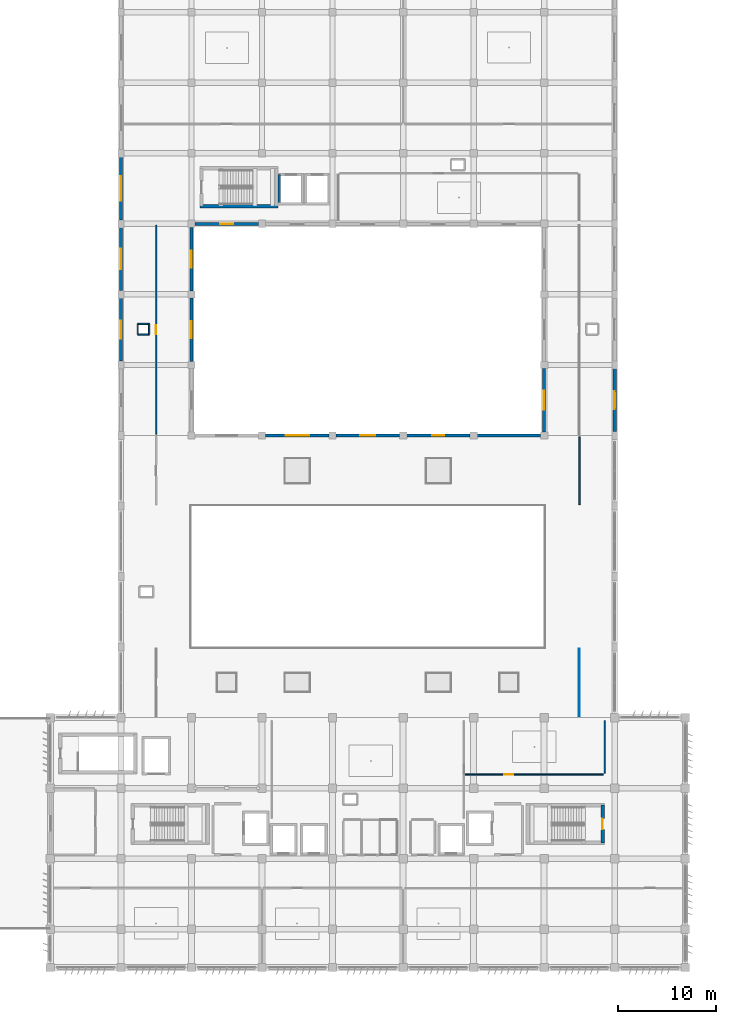
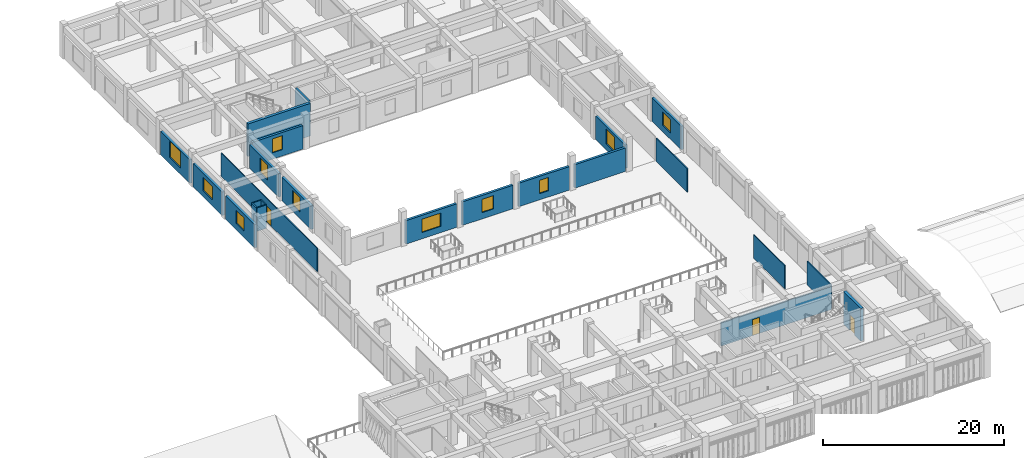
# One storey, part 32 of 55: 24 walls, 11 windows, 3 doors, 14 openings.
"""IFC4 building model written with IfcOpenShell, lengths in metres."""

from ifc_helpers import new_model, si_unit, direction, frame, frame_2d, origin, place, context, subcontext, project, spatial, rectangle, extrude, material, layer, layer_set, type_object, element, fill, save


model = new_model("IFC4")

# Units and contexts
model_context = context("Model", 3, precision=1e-05, world=origin(), true_north=direction((0.0, 1.0)))
body_context = subcontext(model_context, "Body", "Model", "MODEL_VIEW")
ifc_project = project(units=[si_unit("LENGTHUNIT", "METRE"), si_unit("AREAUNIT", "SQUARE_METRE"), si_unit("VOLUMEUNIT", "CUBIC_METRE"), si_unit("PLANEANGLEUNIT", "RADIAN"), si_unit("MASSUNIT", "GRAM", prefix="KILO")], contexts=[model_context])

# Site, building, storey
site_placement = place(None, origin())
site = spatial("IfcSite", under=ifc_project, at=site_placement, CompositionType="ELEMENT")
building_placement = place(site_placement, origin())
building = spatial("IfcBuilding", under=site, at=building_placement, Name="Kazehaya Institute of Natural Sciences", CompositionType="ELEMENT")
storey_placement = place(building_placement, frame((0.0, 0.0, 15.1201171875)))
storey = spatial("IfcBuildingStorey", under=building, at=storey_placement, Name="L03", CompositionType="ELEMENT", Elevation=15.1201171875)

# Wall, opening, door
ifc_material_1 = material(Name="Concrete Fc42", Category="concrete")
ifc_layer_1 = layer(ifc_material_1, 0.35009765625, Name="Concrete Fc42", Category="concrete")
ifc_layer_set_1 = layer_set([ifc_layer_1], Name="Concrete Fc42")
wall_type_1 = type_object("IfcWallType", Name="WL-CORE-350", PredefinedType="SHEAR", material=ifc_layer_set_1)
wall_1_placement = place(storey_placement, frame((110.97998046875, 26.659912109375, 0.0), z_axis=(0.0, 0.0, 1.0), x_axis=(0.0, -1.0, 0.0)))
wall_1 = element("IfcWall", 1, at=wall_1_placement, inside=storey, type_object=wall_type_1, Name="L03 ST-2 core wall E", PredefinedType="SHEAR", context=body_context, shape_type="SweptSolid", body=[
    extrude(rectangle(XDim=3.83984375, YDim=0.35009765625, at=frame_2d((1.919921875, 0.0))), origin(), (0.0, 0.0, 1.0), 4.409912109375),
])
opening_1_placement = place(wall_1_placement, frame((1.3701171875, 0.0, 0.0)))
opening_1 = element("IfcOpeningElement", 2, at=opening_1_placement, cuts=wall_1, Name="Opening D-ST-016", PredefinedType="OPENING", context=body_context, shape_type="SweptSolid", body=[
    extrude(rectangle(XDim=1.10009765625, YDim=2.1201171875, at=frame_2d((0.550048828125, 1.06005859375))), frame((0.0, 0.18505859375, 0.0), z_axis=(0.0, -1.0, 0.0), x_axis=(1.0, 0.0, 0.0)), (0.0, 0.0, 1.0), 0.3701171875),
])
ifc_material_2 = material(Name="Fire-rated steel acoustic door", Category="steel")
door_type_1 = type_object("IfcDoorType", Name="DT-FD-17", OperationType="NOTDEFINED", PredefinedType="DOOR", material=ifc_material_2)
door_1_placement = place(opening_1_placement, origin())
door_1 = element("IfcDoor", 3, at=door_1_placement, inside=storey, type_object=door_type_1, Name="L03 ST-2 stair enclosure door D-ST-016", OperationType="SINGLE_SWING_RIGHT", OverallHeight=2.1201171875, OverallWidth=1.10009765625, PredefinedType="DOOR", context=body_context, shape_type="SweptSolid", body=[
    extrude(rectangle(XDim=1.10009765625, YDim=2.1201171875, at=frame_2d((0.550048828125, 1.06005859375))), frame((0.0, 0.02490234375, 0.0), z_axis=(0.0, -1.0, 0.0), x_axis=(1.0, 0.0, 0.0)), (0.0, 0.0, 1.0), 0.050048828125),
])
fill(opening_1, door_1)

# Wall
wall_2_placement = place(storey_placement, frame((77.85498046875, 87.820068359375, 0.0), z_axis=(0.0, 0.0, 1.0), x_axis=(-1.0, 0.0, 0.0)))
element("IfcWall", 4, at=wall_2_placement, inside=storey, type_object=wall_type_1, Name="L03 ST-3 core wall S", PredefinedType="SHEAR", context=body_context, shape_type="SweptSolid", body=[
    extrude(rectangle(XDim=8.010009765625, YDim=0.35009765625, at=frame_2d((4.0048828125, 0.0))), origin(), (0.0, 0.0, 1.0), 4.409912109375),
])

# Wall, opening, window
ifc_material_3 = material(Name="Precast concrete Fc36", Category="concrete")
ifc_layer_2 = layer(ifc_material_3, 0.2900390625, Name="Precast concrete Fc36", Category="concrete")
ifc_layer_set_2 = layer_set([ifc_layer_2], Name="Precast concrete Fc36")
wall_type_2 = type_object("IfcWallType", Name="WL-EXT-290", PredefinedType="SOLIDWALL", material=ifc_layer_set_2)
wall_3_placement = place(storey_placement, frame((75.840087890625, 86.0, 0.0), z_axis=(0.0, 0.0, 1.0), x_axis=(-1.0, 0.0, 0.0)))
wall_3 = element("IfcWall", 5, at=wall_3_placement, inside=storey, type_object=wall_type_2, Name="L03 exterior wall EW-L03-0268", PredefinedType="SOLIDWALL", context=body_context, shape_type="SweptSolid", body=[
    extrude(rectangle(XDim=6.47998046875, YDim=0.2900390625, at=frame_2d((3.239990234375, 0.0))), origin(), (0.0, 0.0, 1.0), 3.179931640625),
])
opening_2_placement = place(wall_3_placement, frame((2.590087890625, 0.0, 0.85009765625)))
opening_2 = element("IfcOpeningElement", 6, at=opening_2_placement, cuts=wall_3, Name="Opening W26", PredefinedType="OPENING", context=body_context, shape_type="SweptSolid", body=[
    extrude(rectangle(XDim=1.300048828125, YDim=1.89990234375, at=frame_2d((0.64990234375, 0.949951171875))), frame((0.0, 0.155029296875, 0.0), z_axis=(0.0, -1.0, 0.0), x_axis=(1.0, 0.0, 0.0)), (0.0, 0.0, 1.0), 0.31005859375),
])
ifc_material_4 = material(Name="Low-E double-glazed aluminium window", Category="aluminium")
window_type_1 = type_object("IfcWindowType", Name="WN-26", PartitioningType="SINGLE_PANEL", PredefinedType="WINDOW", material=ifc_material_4)
window_1_placement = place(opening_2_placement, origin())
window_1 = element("IfcWindow", 7, at=window_1_placement, inside=storey, type_object=window_type_1, Name="L03 facade window 0168", OverallHeight=1.89990234375, OverallWidth=1.300048828125, PartitioningType="SINGLE_PANEL", PredefinedType="WINDOW", context=body_context, shape_type="SweptSolid", body=[
    extrude(rectangle(XDim=1.300048828125, YDim=1.89990234375, at=frame_2d((0.64990234375, 0.949951171875))), frame((0.0, 0.030029296875, 0.0), z_axis=(0.0, -1.0, 0.0), x_axis=(1.0, 0.0, 0.0)), (0.0, 0.0, 1.0), 0.06005859375),
])
fill(opening_2, window_1)

ifc_layer_3 = layer(ifc_material_3, 0.31005859375, Name="Precast concrete Fc36", Category="concrete")
ifc_layer_set_3 = layer_set([ifc_layer_3], Name="Precast concrete Fc36")
wall_type_3 = type_object("IfcWallType", Name="WL-EXT-310", PredefinedType="SOLIDWALL", material=ifc_layer_set_3)
wall_4_placement = place(storey_placement, frame((76.56005859375, 64.39990234375, 0.0), z_axis=(0.0, 0.0, 1.0), x_axis=(1.0, 0.0, 0.0)))
wall_4 = element("IfcWall", 8, at=wall_4_placement, inside=storey, type_object=wall_type_3, Name="L03 exterior wall EW-L03-0233", PredefinedType="SOLIDWALL", context=body_context, shape_type="SweptSolid", body=[
    extrude(rectangle(XDim=6.47998046875, YDim=0.31005859375, at=frame_2d((3.239990234375, 0.0))), origin(), (0.0, 0.0, 1.0), 3.179931640625),
])
opening_3_placement = place(wall_4_placement, frame((2.0400390625, 0.0, 0.85009765625)))
opening_3 = element("IfcOpeningElement", 9, at=opening_3_placement, cuts=wall_4, Name="Opening W13", PredefinedType="OPENING", context=body_context, shape_type="SweptSolid", body=[
    extrude(rectangle(XDim=2.39990234375, YDim=1.800048828125, at=frame_2d((1.199951171875, 0.89990234375))), frame((0.0, 0.1650390625, 0.0), z_axis=(0.0, -1.0, 0.0), x_axis=(1.0, 0.0, 0.0)), (0.0, 0.0, 1.0), 0.330078125),
])
window_type_2 = type_object("IfcWindowType", Name="WN-13", PartitioningType="DOUBLE_PANEL_VERTICAL", PredefinedType="WINDOW", material=ifc_material_4)
window_2_placement = place(opening_3_placement, origin())
window_2 = element("IfcWindow", 10, at=window_2_placement, inside=storey, type_object=window_type_2, Name="L03 facade window 0134", OverallHeight=1.800048828125, OverallWidth=2.39990234375, PartitioningType="DOUBLE_PANEL_VERTICAL", PredefinedType="WINDOW", context=body_context, shape_type="SweptSolid", body=[
    extrude(rectangle(XDim=2.39990234375, YDim=1.800048828125, at=frame_2d((1.199951171875, 0.89990234375))), frame((0.0, 0.030029296875, 0.0), z_axis=(0.0, -1.0, 0.0), x_axis=(1.0, 0.0, 0.0)), (0.0, 0.0, 1.0), 0.06005859375),
])
fill(opening_3, window_2)

wall_5_placement = place(storey_placement, frame((83.760009765625, 64.39990234375, 0.0), z_axis=(0.0, 0.0, 1.0), x_axis=(1.0, 0.0, 0.0)))
wall_5 = element("IfcWall", 11, at=wall_5_placement, inside=storey, type_object=wall_type_3, Name="L03 exterior wall EW-L03-0234", PredefinedType="SOLIDWALL", context=body_context, shape_type="SweptSolid", body=[
    extrude(rectangle(XDim=6.47998046875, YDim=0.31005859375, at=frame_2d((3.239990234375, 0.0))), origin(), (0.0, 0.0, 1.0), 3.179931640625),
])
opening_4_placement = place(wall_5_placement, frame((2.489990234375, 0.0, 0.85009765625)))
opening_4 = element("IfcOpeningElement", 12, at=opening_4_placement, cuts=wall_5, Name="Opening W14", PredefinedType="OPENING", context=body_context, shape_type="SweptSolid", body=[
    extrude(rectangle(XDim=1.5, YDim=1.800048828125, at=frame_2d((0.75, 0.89990234375))), frame((0.0, 0.1650390625, 0.0), z_axis=(0.0, -1.0, 0.0), x_axis=(1.0, 0.0, 0.0)), (0.0, 0.0, 1.0), 0.330078125),
])
window_type_3 = type_object("IfcWindowType", Name="WN-14", PartitioningType="SINGLE_PANEL", PredefinedType="WINDOW", material=ifc_material_4)
window_3_placement = place(opening_4_placement, origin())
window_3 = element("IfcWindow", 13, at=window_3_placement, inside=storey, type_object=window_type_3, Name="L03 facade window 0135", OverallHeight=1.800048828125, OverallWidth=1.5, PartitioningType="SINGLE_PANEL", PredefinedType="WINDOW", context=body_context, shape_type="SweptSolid", body=[
    extrude(rectangle(XDim=1.5, YDim=1.800048828125, at=frame_2d((0.75, 0.89990234375))), frame((0.0, 0.030029296875, 0.0), z_axis=(0.0, -1.0, 0.0), x_axis=(1.0, 0.0, 0.0)), (0.0, 0.0, 1.0), 0.06005859375),
])
fill(opening_4, window_3)

wall_6_placement = place(storey_placement, frame((90.9599609375, 64.39990234375, 0.0), z_axis=(0.0, 0.0, 1.0), x_axis=(1.0, 0.0, 0.0)))
wall_6 = element("IfcWall", 14, at=wall_6_placement, inside=storey, type_object=wall_type_3, Name="L03 exterior wall EW-L03-0235", PredefinedType="SOLIDWALL", context=body_context, shape_type="SweptSolid", body=[
    extrude(rectangle(XDim=6.47998046875, YDim=0.31005859375, at=frame_2d((3.239990234375, 0.0))), origin(), (0.0, 0.0, 1.0), 3.179931640625),
])
opening_5_placement = place(wall_6_placement, frame((2.639892578125, 0.0, 0.85009765625)))
opening_5 = element("IfcOpeningElement", 15, at=opening_5_placement, cuts=wall_6, Name="Opening W15", PredefinedType="OPENING", context=body_context, shape_type="SweptSolid", body=[
    extrude(rectangle(XDim=1.199951171875, YDim=1.800048828125, at=frame_2d((0.60009765625, 0.89990234375))), frame((0.0, 0.1650390625, 0.0), z_axis=(0.0, -1.0, 0.0), x_axis=(1.0, 0.0, 0.0)), (0.0, 0.0, 1.0), 0.330078125),
])
window_type_4 = type_object("IfcWindowType", Name="WN-15", PartitioningType="SINGLE_PANEL", PredefinedType="WINDOW", material=ifc_material_4)
window_4_placement = place(opening_5_placement, origin())
window_4 = element("IfcWindow", 16, at=window_4_placement, inside=storey, type_object=window_type_4, Name="L03 facade window 0136", OverallHeight=1.800048828125, OverallWidth=1.199951171875, PartitioningType="SINGLE_PANEL", PredefinedType="WINDOW", context=body_context, shape_type="SweptSolid", body=[
    extrude(rectangle(XDim=1.199951171875, YDim=1.800048828125, at=frame_2d((0.60009765625, 0.89990234375))), frame((0.0, 0.030029296875, 0.0), z_axis=(0.0, -1.0, 0.0), x_axis=(1.0, 0.0, 0.0)), (0.0, 0.0, 1.0), 0.06005859375),
])
fill(opening_5, window_4)

# Wall
wall_7_placement = place(storey_placement, frame((98.159912109375, 64.39990234375, 0.0), z_axis=(0.0, 0.0, 1.0), x_axis=(1.0, 0.0, 0.0)))
element("IfcWall", 17, at=wall_7_placement, inside=storey, type_object=wall_type_3, Name="L03 exterior wall EW-L03-0236", PredefinedType="SOLIDWALL", context=body_context, shape_type="SweptSolid", body=[
    extrude(rectangle(XDim=6.47998046875, YDim=0.31005859375, at=frame_2d((3.239990234375, 0.0))), origin(), (0.0, 0.0, 1.0), 3.179931640625),
])

# Wall, opening, window
wall_8_placement = place(storey_placement, frame((105.0, 64.760009765625, 0.0), z_axis=(0.0, 0.0, 1.0), x_axis=(0.0, 1.0, 0.0)))
wall_8 = element("IfcWall", 18, at=wall_8_placement, inside=storey, type_object=wall_type_3, Name="L03 exterior wall EW-L03-0240", PredefinedType="SOLIDWALL", context=body_context, shape_type="SweptSolid", body=[
    extrude(rectangle(XDim=6.47998046875, YDim=0.31005859375, at=frame_2d((3.239990234375, 0.0))), origin(), (0.0, 0.0, 1.0), 3.179931640625),
])
opening_6_placement = place(wall_8_placement, frame((2.2900390625, 0.0, 0.85009765625)))
opening_6 = element("IfcOpeningElement", 19, at=opening_6_placement, cuts=wall_8, Name="Opening W23", PredefinedType="OPENING", context=body_context, shape_type="SweptSolid", body=[
    extrude(rectangle(XDim=1.89990234375, YDim=2.0, at=frame_2d((0.949951171875, 1.0))), frame((0.0, 0.1650390625, 0.0), z_axis=(0.0, -1.0, 0.0), x_axis=(1.0, 0.0, 0.0)), (0.0, 0.0, 1.0), 0.330078125),
])
window_type_5 = type_object("IfcWindowType", Name="WN-23", PartitioningType="DOUBLE_PANEL_VERTICAL", PredefinedType="WINDOW", material=ifc_material_4)
window_5_placement = place(opening_6_placement, origin())
window_5 = element("IfcWindow", 20, at=window_5_placement, inside=storey, type_object=window_type_5, Name="L03 facade window 0140", OverallHeight=2.0, OverallWidth=1.89990234375, PartitioningType="DOUBLE_PANEL_VERTICAL", PredefinedType="WINDOW", context=body_context, shape_type="SweptSolid", body=[
    extrude(rectangle(XDim=1.89990234375, YDim=2.0, at=frame_2d((0.949951171875, 1.0))), frame((0.0, 0.030029296875, 0.0), z_axis=(0.0, -1.0, 0.0), x_axis=(1.0, 0.0, 0.0)), (0.0, 0.0, 1.0), 0.06005859375),
])
fill(opening_6, window_5)

wall_9_placement = place(storey_placement, frame((69.0, 78.43994140625, 0.0), z_axis=(0.0, 0.0, 1.0), x_axis=(0.0, -1.0, 0.0)))
wall_9 = element("IfcWall", 21, at=wall_9_placement, inside=storey, type_object=wall_type_3, Name="L03 exterior wall EW-L03-0243", PredefinedType="SOLIDWALL", context=body_context, shape_type="SweptSolid", body=[
    extrude(rectangle(XDim=6.47998046875, YDim=0.31005859375, at=frame_2d((3.239990234375, 0.0))), origin(), (0.0, 0.0, 1.0), 3.179931640625),
])
opening_7_placement = place(wall_9_placement, frame((2.389892578125, 0.0, 0.85009765625)))
opening_7 = element("IfcOpeningElement", 22, at=opening_7_placement, cuts=wall_9, Name="Opening W22", PredefinedType="OPENING", context=body_context, shape_type="SweptSolid", body=[
    extrude(rectangle(XDim=1.699951171875, YDim=2.0, at=frame_2d((0.85009765625, 1.0))), frame((0.0, 0.1650390625, 0.0), z_axis=(0.0, -1.0, 0.0), x_axis=(1.0, 0.0, 0.0)), (0.0, 0.0, 1.0), 0.330078125),
])
window_type_6 = type_object("IfcWindowType", Name="WN-22", PartitioningType="SINGLE_PANEL", PredefinedType="WINDOW", material=ifc_material_4)
window_6_placement = place(opening_7_placement, origin())
window_6 = element("IfcWindow", 23, at=window_6_placement, inside=storey, type_object=window_type_6, Name="L03 facade window 0143", OverallHeight=2.0, OverallWidth=1.699951171875, PartitioningType="SINGLE_PANEL", PredefinedType="WINDOW", context=body_context, shape_type="SweptSolid", body=[
    extrude(rectangle(XDim=1.699951171875, YDim=2.0, at=frame_2d((0.85009765625, 1.0))), frame((0.0, 0.030029296875, 0.0), z_axis=(0.0, -1.0, 0.0), x_axis=(1.0, 0.0, 0.0)), (0.0, 0.0, 1.0), 0.06005859375),
])
fill(opening_7, window_6)

wall_10_placement = place(storey_placement, frame((69.0, 85.639892578125, 0.0), z_axis=(0.0, 0.0, 1.0), x_axis=(0.0, -1.0, 0.0)))
wall_10 = element("IfcWall", 24, at=wall_10_placement, inside=storey, type_object=wall_type_3, Name="L03 exterior wall EW-L03-0247", PredefinedType="SOLIDWALL", context=body_context, shape_type="SweptSolid", body=[
    extrude(rectangle(XDim=6.47998046875, YDim=0.31005859375, at=frame_2d((3.239990234375, 0.0))), origin(), (0.0, 0.0, 1.0), 3.179931640625),
])
opening_8_placement = place(wall_10_placement, frame((2.389892578125, 0.0, 0.85009765625)))
opening_8 = element("IfcOpeningElement", 25, at=opening_8_placement, cuts=wall_10, Name="Opening W22", PredefinedType="OPENING", context=body_context, shape_type="SweptSolid", body=[
    extrude(rectangle(XDim=1.699951171875, YDim=2.0, at=frame_2d((0.85009765625, 1.0))), frame((0.0, 0.1650390625, 0.0), z_axis=(0.0, -1.0, 0.0), x_axis=(1.0, 0.0, 0.0)), (0.0, 0.0, 1.0), 0.330078125),
])
window_7_placement = place(opening_8_placement, origin())
window_7 = element("IfcWindow", 26, at=window_7_placement, inside=storey, type_object=window_type_6, Name="L03 facade window 0147", OverallHeight=2.0, OverallWidth=1.699951171875, PartitioningType="SINGLE_PANEL", PredefinedType="WINDOW", context=body_context, shape_type="SweptSolid", body=[
    extrude(rectangle(XDim=1.699951171875, YDim=2.0, at=frame_2d((0.85009765625, 1.0))), frame((0.0, 0.030029296875, 0.0), z_axis=(0.0, -1.0, 0.0), x_axis=(1.0, 0.0, 0.0)), (0.0, 0.0, 1.0), 0.06005859375),
])
fill(opening_8, window_7)

ifc_layer_4 = layer(ifc_material_3, 0.320068359375, Name="Precast concrete Fc36", Category="concrete")
ifc_layer_set_4 = layer_set([ifc_layer_4], Name="Precast concrete Fc36")
wall_type_4 = type_object("IfcWallType", Name="WL-EXT-320", PredefinedType="SOLIDWALL", material=ifc_layer_set_4)
wall_11_placement = place(storey_placement, frame((112.199951171875, 71.215087890625, 0.0), z_axis=(0.0, 0.0, 1.0), x_axis=(0.0, -1.0, 0.0)))
wall_11 = element("IfcWall", 27, at=wall_11_placement, inside=storey, type_object=wall_type_4, Name="L03 exterior wall EW-L03-0238", PredefinedType="SOLIDWALL", context=body_context, shape_type="SweptSolid", body=[
    extrude(rectangle(XDim=6.43017578125, YDim=0.320068359375, at=frame_2d((3.215087890625, 0.0))), origin(), (0.0, 0.0, 1.0), 3.179931640625),
])
opening_9_placement = place(wall_11_placement, frame((2.31494140625, 0.0, 0.85009765625)))
opening_9 = element("IfcOpeningElement", 28, at=opening_9_placement, cuts=wall_11, Name="Opening W11", PredefinedType="OPENING", context=body_context, shape_type="SweptSolid", body=[
    extrude(rectangle(XDim=1.800048828125, YDim=1.800048828125, at=frame_2d((0.89990234375, 0.89990234375))), frame((0.0, 0.169921875, 0.0), z_axis=(0.0, -1.0, 0.0), x_axis=(1.0, 0.0, 0.0)), (0.0, 0.0, 1.0), 0.340087890625),
])
window_type_7 = type_object("IfcWindowType", Name="WN-11", PartitioningType="DOUBLE_PANEL_VERTICAL", PredefinedType="WINDOW", material=ifc_material_4)
window_8_placement = place(opening_9_placement, origin())
window_8 = element("IfcWindow", 29, at=window_8_placement, inside=storey, type_object=window_type_7, Name="L03 facade window 0138", OverallHeight=1.800048828125, OverallWidth=1.800048828125, PartitioningType="DOUBLE_PANEL_VERTICAL", PredefinedType="WINDOW", context=body_context, shape_type="SweptSolid", body=[
    extrude(rectangle(XDim=1.800048828125, YDim=1.800048828125, at=frame_2d((0.89990234375, 0.89990234375))), frame((0.0, 0.030029296875, 0.0), z_axis=(0.0, -1.0, 0.0), x_axis=(1.0, 0.0, 0.0)), (0.0, 0.0, 1.0), 0.06005859375),
])
fill(opening_9, window_8)

wall_12_placement = place(storey_placement, frame((61.800048828125, 71.985107421875, 0.0), z_axis=(0.0, 0.0, 1.0), x_axis=(0.0, 1.0, 0.0)))
wall_12 = element("IfcWall", 30, at=wall_12_placement, inside=storey, type_object=wall_type_4, Name="L03 exterior wall EW-L03-0241", PredefinedType="SOLIDWALL", context=body_context, shape_type="SweptSolid", body=[
    extrude(rectangle(XDim=6.429931640625, YDim=0.320068359375, at=frame_2d((3.21484375, 0.0))), origin(), (0.0, 0.0, 1.0), 3.179931640625),
])
opening_10_placement = place(wall_12_placement, frame((2.31494140625, 0.0, 0.85009765625)))
opening_10 = element("IfcOpeningElement", 31, at=opening_10_placement, cuts=wall_12, Name="Opening W11", PredefinedType="OPENING", context=body_context, shape_type="SweptSolid", body=[
    extrude(rectangle(XDim=1.800048828125, YDim=1.800048828125, at=frame_2d((0.89990234375, 0.89990234375))), frame((0.0, 0.169921875, 0.0), z_axis=(0.0, -1.0, 0.0), x_axis=(1.0, 0.0, 0.0)), (0.0, 0.0, 1.0), 0.340087890625),
])
window_9_placement = place(opening_10_placement, origin())
window_9 = element("IfcWindow", 32, at=window_9_placement, inside=storey, type_object=window_type_7, Name="L03 facade window 0141", OverallHeight=1.800048828125, OverallWidth=1.800048828125, PartitioningType="DOUBLE_PANEL_VERTICAL", PredefinedType="WINDOW", context=body_context, shape_type="SweptSolid", body=[
    extrude(rectangle(XDim=1.800048828125, YDim=1.800048828125, at=frame_2d((0.89990234375, 0.89990234375))), frame((0.0, 0.030029296875, 0.0), z_axis=(0.0, -1.0, 0.0), x_axis=(1.0, 0.0, 0.0)), (0.0, 0.0, 1.0), 0.06005859375),
])
fill(opening_10, window_9)

wall_13_placement = place(storey_placement, frame((61.800048828125, 79.18505859375, 0.0), z_axis=(0.0, 0.0, 1.0), x_axis=(0.0, 1.0, 0.0)))
wall_13 = element("IfcWall", 33, at=wall_13_placement, inside=storey, type_object=wall_type_4, Name="L03 exterior wall EW-L03-0245", PredefinedType="SOLIDWALL", context=body_context, shape_type="SweptSolid", body=[
    extrude(rectangle(XDim=6.429931640625, YDim=0.320068359375, at=frame_2d((3.21484375, 0.0))), origin(), (0.0, 0.0, 1.0), 3.179931640625),
])
opening_11_placement = place(wall_13_placement, frame((2.1650390625, 0.0, 0.85009765625)))
opening_11 = element("IfcOpeningElement", 34, at=opening_11_placement, cuts=wall_13, Name="Opening W12", PredefinedType="OPENING", context=body_context, shape_type="SweptSolid", body=[
    extrude(rectangle(XDim=2.10009765625, YDim=1.800048828125, at=frame_2d((1.050048828125, 0.89990234375))), frame((0.0, 0.169921875, 0.0), z_axis=(0.0, -1.0, 0.0), x_axis=(1.0, 0.0, 0.0)), (0.0, 0.0, 1.0), 0.340087890625),
])
window_type_8 = type_object("IfcWindowType", Name="WN-12", PartitioningType="DOUBLE_PANEL_VERTICAL", PredefinedType="WINDOW", material=ifc_material_4)
window_10_placement = place(opening_11_placement, origin())
window_10 = element("IfcWindow", 35, at=window_10_placement, inside=storey, type_object=window_type_8, Name="L03 facade window 0145", OverallHeight=1.800048828125, OverallWidth=2.10009765625, PartitioningType="DOUBLE_PANEL_VERTICAL", PredefinedType="WINDOW", context=body_context, shape_type="SweptSolid", body=[
    extrude(rectangle(XDim=2.10009765625, YDim=1.800048828125, at=frame_2d((1.050048828125, 0.89990234375))), frame((0.0, 0.030029296875, 0.0), z_axis=(0.0, -1.0, 0.0), x_axis=(1.0, 0.0, 0.0)), (0.0, 0.0, 1.0), 0.06005859375),
])
fill(opening_11, window_10)

wall_14_placement = place(storey_placement, frame((61.800048828125, 86.385009765625, 0.0), z_axis=(0.0, 0.0, 1.0), x_axis=(0.0, 1.0, 0.0)))
wall_14 = element("IfcWall", 36, at=wall_14_placement, inside=storey, type_object=wall_type_4, Name="L03 exterior wall EW-L03-0249", PredefinedType="SOLIDWALL", context=body_context, shape_type="SweptSolid", body=[
    extrude(rectangle(XDim=6.429931640625, YDim=0.320068359375, at=frame_2d((3.21484375, 0.0))), origin(), (0.0, 0.0, 1.0), 3.179931640625),
])
opening_12_placement = place(wall_14_placement, frame((1.965087890625, 0.0, 0.85009765625)))
opening_12 = element("IfcOpeningElement", 37, at=opening_12_placement, cuts=wall_14, Name="Opening W24", PredefinedType="OPENING", context=body_context, shape_type="SweptSolid", body=[
    extrude(rectangle(XDim=2.5, YDim=2.199951171875, at=frame_2d((1.25, 1.10009765625))), frame((0.0, 0.169921875, 0.0), z_axis=(0.0, -1.0, 0.0), x_axis=(1.0, 0.0, 0.0)), (0.0, 0.0, 1.0), 0.340087890625),
])
window_type_9 = type_object("IfcWindowType", Name="WN-24", PartitioningType="DOUBLE_PANEL_VERTICAL", PredefinedType="WINDOW", material=ifc_material_4)
window_11_placement = place(opening_12_placement, origin())
window_11 = element("IfcWindow", 38, at=window_11_placement, inside=storey, type_object=window_type_9, Name="L03 facade window 0149", OverallHeight=2.199951171875, OverallWidth=2.5, PartitioningType="DOUBLE_PANEL_VERTICAL", PredefinedType="WINDOW", context=body_context, shape_type="SweptSolid", body=[
    extrude(rectangle(XDim=2.5, YDim=2.199951171875, at=frame_2d((1.25, 1.10009765625))), frame((0.0, 0.030029296875, 0.0), z_axis=(0.0, -1.0, 0.0), x_axis=(1.0, 0.0, 0.0)), (0.0, 0.0, 1.0), 0.06005859375),
])
fill(opening_12, window_11)

# Wall
ifc_material_5 = material(Name="Lightweight chase partition")
ifc_layer_5 = layer(ifc_material_5, 0.10009765625, Name="Lightweight chase partition")
ifc_layer_set_5 = layer_set([ifc_layer_5], Name="Lightweight chase partition")
wall_type_5 = type_object("IfcWallType", Name="WL-PART-100", PredefinedType="PARTITIONING", material=ifc_layer_set_5)
wall_15_placement = place(storey_placement, frame((108.60009765625, 42.64990234375, 0.0), z_axis=(0.0, 0.0, 1.0), x_axis=(0.0, -1.0, 0.0)))
element("IfcWall", 39, at=wall_15_placement, inside=storey, type_object=wall_type_5, Name="L03 Atrium Gallery Lounge partition IW-L03-0206", PredefinedType="PARTITIONING", context=body_context, shape_type="SweptSolid", body=[
    extrude(rectangle(XDim=6.89990234375, YDim=0.10009765625, at=frame_2d((3.449951171875, 0.0))), origin(), (0.0, 0.0, 1.0), 3.159912109375),
])

# Wall, opening, door
ifc_material_6 = material(Name="Glazed office demountable partition")
ifc_layer_6 = layer(ifc_material_6, 0.110107421875, Name="Glazed office demountable partition")
ifc_layer_set_6 = layer_set([ifc_layer_6], Name="Glazed office demountable partition")
wall_type_6 = type_object("IfcWallType", Name="WL-PART-110", PredefinedType="PARTITIONING", material=ifc_layer_set_6)
wall_16_placement = place(storey_placement, frame((65.39990234375, 64.550048828125, 0.0), z_axis=(0.0, 0.0, 1.0), x_axis=(0.0, 1.0, 0.0)))
wall_16 = element("IfcWall", 40, at=wall_16_placement, inside=storey, type_object=wall_type_6, Name="L03 Researcher Write-up Office partition IW-L03-0209", PredefinedType="PARTITIONING", context=body_context, shape_type="SweptSolid", body=[
    extrude(rectangle(XDim=21.300048828125, YDim=0.110107421875, at=frame_2d((10.64990234375, 0.0))), origin(), (0.0, 0.0, 1.0), 3.159912109375),
])
opening_13_placement = place(wall_16_placement, frame((10.169921875, 0.0, 0.0)))
opening_13 = element("IfcOpeningElement", 41, at=opening_13_placement, cuts=wall_16, Name="Opening D-L03-0133", PredefinedType="OPENING", context=body_context, shape_type="SweptSolid", body=[
    extrude(rectangle(XDim=0.9599609375, YDim=2.159912109375, at=frame_2d((0.47998046875, 1.080078125))), frame((0.0, 0.06494140625, 0.0), z_axis=(0.0, -1.0, 0.0), x_axis=(1.0, 0.0, 0.0)), (0.0, 0.0, 1.0), 0.130126953125),
])
ifc_material_7 = material(Name="Flush timber and aluminium laboratory door", Category="wood")
door_type_2 = type_object("IfcDoorType", Name="DT-INT-11", OperationType="NOTDEFINED", PredefinedType="DOOR", material=ifc_material_7)
door_2_placement = place(opening_13_placement, origin())
door_2 = element("IfcDoor", 42, at=door_2_placement, inside=storey, type_object=door_type_2, Name="L03 Researcher Write-up Office door D-L03-0133", OperationType="SINGLE_SWING_LEFT", OverallHeight=2.159912109375, OverallWidth=0.9599609375, PredefinedType="DOOR", context=body_context, shape_type="SweptSolid", body=[
    extrude(rectangle(XDim=0.9599609375, YDim=2.159912109375, at=frame_2d((0.47998046875, 1.080078125))), frame((0.0, 0.02490234375, 0.0), z_axis=(0.0, -1.0, 0.0), x_axis=(1.0, 0.0, 0.0)), (0.0, 0.0, 1.0), 0.050048828125),
])
fill(opening_13, door_2)

ifc_material_8 = material(Name="Gypsum partition", Category="gypsum")
ifc_layer_7 = layer(ifc_material_8, 0.139892578125, Name="Gypsum partition", Category="gypsum")
ifc_layer_set_7 = layer_set([ifc_layer_7], Name="Gypsum partition")
wall_type_7 = type_object("IfcWallType", Name="WL-PART-140", PredefinedType="PARTITIONING", material=ifc_layer_set_7)
wall_17_placement = place(storey_placement, frame((111.030029296875, 29.800048828125, 0.0), z_axis=(0.0, 0.0, 1.0), x_axis=(-1.0, 0.0, 0.0)))
wall_17 = element("IfcWall", 43, at=wall_17_placement, inside=storey, type_object=wall_type_7, Name="L03 Shared NMR and Optical Instrument Suite partition IW-L03-0200", PredefinedType="PARTITIONING", context=body_context, shape_type="SweptSolid", body=[
    extrude(rectangle(XDim=14.080078125, YDim=0.139892578125, at=frame_2d((7.0400390625, 0.0))), origin(), (0.0, 0.0, 1.0), 3.159912109375),
])
opening_14_placement = place(wall_17_placement, frame((9.1650390625, 0.0, 0.0)))
opening_14 = element("IfcOpeningElement", 44, at=opening_14_placement, cuts=wall_17, Name="Opening D-L03-0129", PredefinedType="OPENING", context=body_context, shape_type="SweptSolid", body=[
    extrude(rectangle(XDim=0.929931640625, YDim=2.159912109375, at=frame_2d((0.46484375, 1.080078125))), frame((0.0, 0.079833984375, 0.0), z_axis=(0.0, -1.0, 0.0), x_axis=(1.0, 0.0, 0.0)), (0.0, 0.0, 1.0), 0.159912109375),
])
door_type_3 = type_object("IfcDoorType", Name="DT-INT-07", OperationType="NOTDEFINED", PredefinedType="DOOR", material=ifc_material_7)
door_3_placement = place(opening_14_placement, origin())
door_3 = element("IfcDoor", 45, at=door_3_placement, inside=storey, type_object=door_type_3, Name="L03 Shared NMR and Optical Instrument Suite door D-L03-0129", OperationType="SINGLE_SWING_LEFT", OverallHeight=2.159912109375, OverallWidth=0.929931640625, PredefinedType="DOOR", context=body_context, shape_type="SweptSolid", body=[
    extrude(rectangle(XDim=0.929931640625, YDim=2.159912109375, at=frame_2d((0.46484375, 1.080078125))), frame((0.0, 0.02490234375, 0.0), z_axis=(0.0, -1.0, 0.0), x_axis=(1.0, 0.0, 0.0)), (0.0, 0.0, 1.0), 0.050048828125),
])
fill(opening_14, door_3)

# Walls
wall_18_placement = place(storey_placement, frame((111.179931640625, 35.300048828125, 0.0), z_axis=(0.0, 0.0, 1.0), x_axis=(0.0, -1.0, 0.0)))
element("IfcWall", 46, at=wall_18_placement, inside=storey, type_object=wall_type_7, Name="L03 Shared NMR and Optical Instrument Suite partition IW-L03-0201", PredefinedType="PARTITIONING", context=body_context, shape_type="SweptSolid", body=[
    extrude(rectangle(XDim=5.35009765625, YDim=0.139892578125, at=frame_2d((2.675048828125, 0.0))), origin(), (0.0, 0.0, 1.0), 3.159912109375),
])
wall_19_placement = place(storey_placement, frame((108.60009765625, 64.25, 0.0), z_axis=(0.0, 0.0, 1.0), x_axis=(0.0, -1.0, 0.0)))
element("IfcWall", 47, at=wall_19_placement, inside=storey, type_object=wall_type_7, Name="L03 Atrium North Study Gallery partition IW-L03-0208", PredefinedType="PARTITIONING", context=body_context, shape_type="SweptSolid", body=[
    extrude(rectangle(XDim=6.89990234375, YDim=0.139892578125, at=frame_2d((3.449951171875, 0.0))), origin(), (0.0, 0.0, 1.0), 3.159912109375),
])
ifc_material_9 = material(Name="Concrete Fc36", Category="concrete")
ifc_layer_8 = layer(ifc_material_9, 0.14990234375, Name="Concrete Fc36", Category="concrete")
ifc_layer_set_8 = layer_set([ifc_layer_8], Name="Concrete Fc36")
wall_type_8 = type_object("IfcWallType", Name="WL-RISER-150", PredefinedType="PARTITIONING", material=ifc_layer_set_8)
for number, where, z_axis, x_axis, name in (
    (48, (64.68505859375, 74.715087890625, 0.0), (0.0, 0.0, 1.0), (-1.0, 0.0, 0.0), "L03 fume exhaust riser shaft wall 32"),
    (49, (63.514892578125, 75.784912109375, 0.0), (0.0, 0.0, 1.0), (1.0, 0.0, 0.0), "L03 fume exhaust riser shaft wall 32"),
):
    element("IfcWall", number, at=place(storey_placement, frame(where, z_axis=z_axis, x_axis=x_axis)), inside=storey, type_object=wall_type_8, Name=name, PredefinedType="PARTITIONING", context=body_context, shape_type="SweptSolid", body=[
        extrude(rectangle(XDim=1.170166015625, YDim=0.14990234375, at=frame_2d((0.5849609375, 0.0))), origin(), (0.0, 0.0, 1.0), 3.159912109375),
    ])
for number, where, z_axis, x_axis, name in (
    (50, (63.514892578125, 74.715087890625, 0.0), (0.0, 0.0, 1.0), (0.0, 1.0, 0.0), "L03 fume exhaust riser shaft wall 32"),
    (51, (64.68505859375, 75.784912109375, 0.0), (0.0, 0.0, 1.0), (0.0, -1.0, 0.0), "L03 fume exhaust riser shaft wall 32"),
):
    element("IfcWall", number, at=place(storey_placement, frame(where, z_axis=z_axis, x_axis=x_axis)), inside=storey, type_object=wall_type_8, Name=name, PredefinedType="PARTITIONING", context=body_context, shape_type="SweptSolid", body=[
        extrude(rectangle(XDim=1.06982421875, YDim=0.14990234375, at=frame_2d((0.534912109375, 0.0))), origin(), (0.0, 0.0, 1.0), 3.159912109375),
    ])
ifc_layer_9 = layer(ifc_material_1, 0.25, Name="Concrete Fc42", Category="concrete")
ifc_layer_set_9 = layer_set([ifc_layer_9], Name="Concrete Fc42")
wall_type_9 = type_object("IfcWallType", Name="WL-SHAFT-250", PredefinedType="SHEAR", material=ifc_layer_set_9)
wall_20_placement = place(storey_placement, frame((77.965087890625, 88.06494140625, 0.0), z_axis=(0.0, 0.0, 1.0), x_axis=(0.0, 1.0, 0.0)))
element("IfcWall", 52, at=wall_20_placement, inside=storey, type_object=wall_type_9, Name="L03 EL04 lift shaft wall west", PredefinedType="SHEAR", context=body_context, shape_type="SweptSolid", body=[
    extrude(rectangle(XDim=2.969970703125, YDim=0.25, at=frame_2d((1.48486328125, 0.0))), origin(), (0.0, 0.0, 1.0), 4.409912109375),
])

save(model, "model.ifc")
